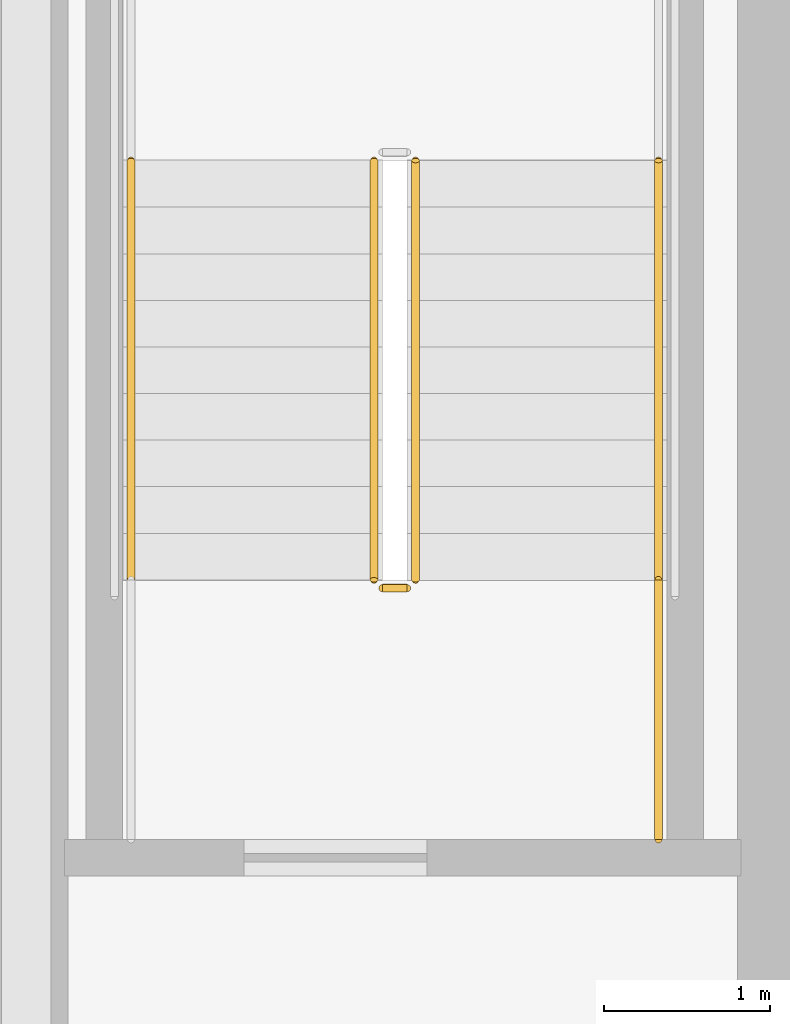
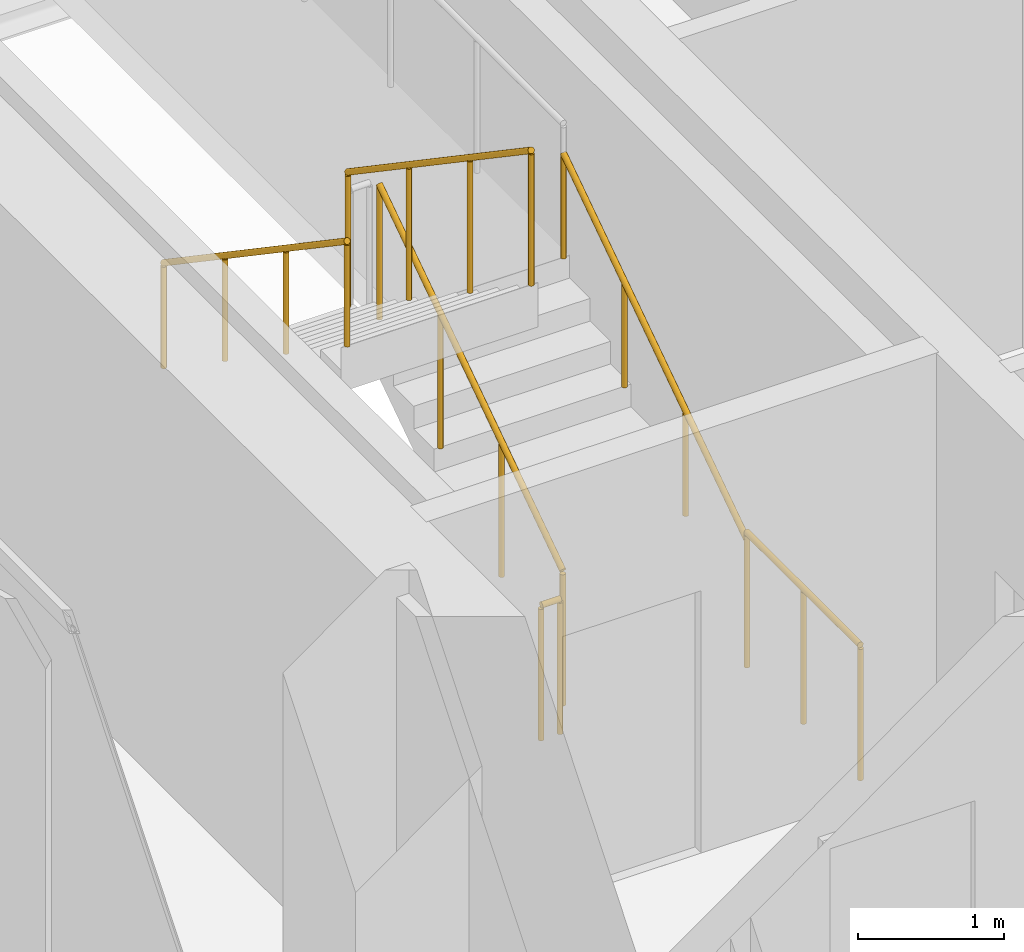
# One storey, part 14 of 17: 6 railings.
"""IFC4 building model written with IfcOpenShell, lengths in metres."""

import ifcopenshell
import ifcopenshell.guid

model = None  # the IFC model being written
_history = None  # IfcOwnerHistory: only IFC2X3 demands one
_inside = {}  # id of a spatial element -> (the spatial element, [elements in it])
_under = {}  # id of a project, library or spatial element -> (it, [spatial elements below it])
_declared = {}  # id of a project -> (the project, [libraries it declares])
_typed = {}  # id of a type object -> (the type object, [elements of that type])
_made_of = {}  # id of a material, layer set ... -> (it, [elements and type objects made of it])


def new_model(schema):
    """Start an empty IFC model of exactly this schema.

    Asked for "IFC4X3", IfcOpenShell would pick the latest addendum, in which some entities
    have other attributes; the version numbers below select the first issue.
    IFC2X3 requires an IfcOwnerHistory on every rooted entity: one is made here for all.
    """
    global model, _history
    if schema == "IFC4X3":
        model = ifcopenshell.file(schema_version=(4, 3, 0, 0))
    else:
        model = ifcopenshell.file(schema=schema)
    _inside.clear()
    _under.clear()
    _declared.clear()
    _typed.clear()
    _made_of.clear()
    _history = None
    if model.schema == "IFC2X3":
        org = make("IfcOrganization", Name="unknown")
        user = make(
            "IfcPersonAndOrganization",
            ThePerson=make("IfcPerson", FamilyName="unknown"),
            TheOrganization=org,
        )
        app = make(
            "IfcApplication",
            ApplicationDeveloper=org,
            Version="unknown",
            ApplicationFullName="unknown",
            ApplicationIdentifier="unknown",
        )
        _history = make(
            "IfcOwnerHistory",
            OwningUser=user,
            OwningApplication=app,
            ChangeAction="ADDED",
            CreationDate=0,
        )
    return model


def make(cls, **values):
    """One entity of the class cls with the attributes given. An attribute that is None is left unset."""
    return model.create_entity(
        cls, **{name: value for name, value in values.items() if value is not None}
    )


def rooted(cls, **values):
    """An entity with a GlobalId (a new one), such as an element, a storey or a relation."""
    return make(cls, GlobalId=ifcopenshell.guid.new(), OwnerHistory=_history, **values)


def si_unit(unit_type, name, prefix=None):
    """IfcSIUnit, for example si_unit("LENGTHUNIT", "METRE", prefix="MILLI")."""
    return make("IfcSIUnit", UnitType=unit_type, Prefix=prefix, Name=name)


def assignment(units):
    """IfcUnitAssignment: the units of a project."""
    return None if units is None else make("IfcUnitAssignment", Units=units)


def point(xyz):
    """IfcCartesianPoint."""
    return None if xyz is None else make("IfcCartesianPoint", Coordinates=xyz)


def direction(xyz):
    """IfcDirection."""
    return None if xyz is None else make("IfcDirection", DirectionRatios=xyz)


def frame(location, z_axis=None, x_axis=None):
    """IfcAxis2Placement3D, a coordinate frame: its origin and axes. An axis left out is left unset."""
    return make(
        "IfcAxis2Placement3D",
        Location=point(location),
        Axis=direction(z_axis),
        RefDirection=direction(x_axis),
    )


def frame_2d(location, x_axis=None):
    """IfcAxis2Placement2D, a coordinate frame in the plane: its origin and x axis."""
    return make(
        "IfcAxis2Placement2D", Location=point(location), RefDirection=direction(x_axis)
    )


def origin():
    """The frame at (0, 0, 0) with its axes left unset."""
    return frame((0.0, 0.0, 0.0))


def origin_2d():
    """The frame at (0, 0) in the plane with its x axis left unset."""
    return frame_2d((0.0, 0.0))


def place(relative_to, where):
    """IfcLocalPlacement: puts the frame where relative to a parent placement (None: the world)."""
    return make(
        "IfcLocalPlacement", PlacementRelTo=relative_to, RelativePlacement=where
    )


def context(
    kind, dimensions, precision=None, world=None, true_north=None, identifier=None
):
    """IfcGeometricRepresentationContext, for example the 3D "Model" context."""
    return make(
        "IfcGeometricRepresentationContext",
        ContextIdentifier=identifier,
        ContextType=kind,
        CoordinateSpaceDimension=dimensions,
        Precision=precision,
        WorldCoordinateSystem=world,
        TrueNorth=true_north,
    )


def subcontext(parent, identifier, kind, view, scale=None):
    """IfcGeometricRepresentationSubContext, for example "Body" below "Model"."""
    return make(
        "IfcGeometricRepresentationSubContext",
        ContextIdentifier=identifier,
        ContextType=kind,
        ParentContext=parent,
        TargetScale=scale,
        TargetView=view,
    )


def project(units=None, contexts=None):
    """IfcProject with its units and contexts."""
    return rooted(
        "IfcProject",
        Name="project",
        RepresentationContexts=contexts,
        UnitsInContext=assignment(units),
    )


def spatial(cls, under=None, at=None, **own):
    """A site, building, storey or space (cls), placed at a placement, below another one or the project."""
    s = rooted(cls, ObjectPlacement=at, **own)
    if under is not None:
        _under.setdefault(under.id(), (under, []))[1].append(s)
    return s


def profile(cls, at=None, kind="AREA", **sizes):
    """A parametric profile (cls). Its sizes go by their IFC names, for example OverallWidth=200.0."""
    return make(cls, ProfileType=kind, Position=at, **sizes)


def circle(**sizes):
    """IfcCircleProfileDef."""
    return profile("IfcCircleProfileDef", **sizes)


def extrude(swept, where, along, depth):
    """IfcExtrudedAreaSolid: the profile swept, set in the frame where, extruded along a direction by depth."""
    return make(
        "IfcExtrudedAreaSolid",
        SweptArea=swept,
        Position=where,
        ExtrudedDirection=direction(along),
        Depth=depth,
    )


def shape(context_of_items, identifier, shape_type, items):
    """IfcShapeRepresentation: the items that make up one representation, for example the "Body"."""
    return make(
        "IfcShapeRepresentation",
        ContextOfItems=context_of_items,
        RepresentationIdentifier=identifier,
        RepresentationType=shape_type,
        Items=items,
    )


def material(Name=None, Category=None):
    """IfcMaterial."""
    return make("IfcMaterial", Name=Name, Category=Category)


def made_of(thing, what):
    """Note that an element or type object is made of a material, layer set ...; save() writes the relation."""
    if what is not None:
        _made_of.setdefault(what.id(), (what, []))[1].append(thing)
    return thing


def type_object(cls, material=None, **own):
    """A type object (cls), such as IfcWallType, which elements share."""
    return made_of(rooted(cls, **own), material)


def element(
    cls,
    number,
    at=None,
    inside=None,
    cuts=None,
    type_object=None,
    material=None,
    context=None,
    identifier="Body",
    shape_type=None,
    held_by="IfcProductDefinitionShape",
    body=None,
    shapes=None,
    **own,
):
    """One element of the class cls, such as IfcWall. Its Tag is "e" and its number.

    at: its placement. inside: the storey or other place that contains it. cuts: it is an
    opening in that element (IfcRelVoidsElement). A single representation is given by context,
    identifier, shape_type and body (its items); several are given by shapes. held_by: the class
    of the entity that holds the representations. save() writes the other relations.
    """
    e = rooted(cls, Tag="e%d" % number, ObjectPlacement=at, **own)
    if body is not None:
        shapes = [shape(context, identifier, shape_type, body)]
    if shapes is not None:
        e.Representation = make(held_by, Representations=shapes)
    if inside is not None:
        _inside.setdefault(inside.id(), (inside, []))[1].append(e)
    if cuts is not None:
        rooted(
            "IfcRelVoidsElement", RelatingBuildingElement=cuts, RelatedOpeningElement=e
        )
    if type_object is not None:
        _typed.setdefault(type_object.id(), (type_object, []))[1].append(e)
    return made_of(e, material)


def aggregate(whole, parts):
    """IfcRelAggregates: a whole, such as a stair, and the parts it consists of."""
    return rooted("IfcRelAggregates", RelatingObject=whole, RelatedObjects=parts)


def save(model, path):
    """Write the relations noted so far, then the file.

    IfcRelAggregates (storeys below a building ...), IfcRelContainedInSpatialStructure (elements
    in a storey), IfcRelDefinesByType, IfcRelAssociatesMaterial and IfcRelDeclares: one each for
    every whole, place, type object, material and project.
    """
    for whole, parts in _under.values():
        aggregate(whole, parts)
    for where, things in _inside.values():
        rooted(
            "IfcRelContainedInSpatialStructure",
            RelatedElements=things,
            RelatingStructure=where,
        )
    for kind, things in _typed.values():
        rooted("IfcRelDefinesByType", RelatedObjects=things, RelatingType=kind)
    for what, things in _made_of.values():
        rooted("IfcRelAssociatesMaterial", RelatedObjects=things, RelatingMaterial=what)
    for by, libraries in _declared.values():
        rooted("IfcRelDeclares", RelatingContext=by, RelatedDefinitions=libraries)
    model.write(path)


model = new_model("IFC4")

# Units and contexts
model_context = context("Model", 3, precision=1e-05, world=origin(), true_north=direction((0.0, 1.0)))
body_context = subcontext(model_context, "Body", "Model", "MODEL_VIEW")
ifc_project = project(units=[si_unit("LENGTHUNIT", "METRE"), si_unit("AREAUNIT", "SQUARE_METRE"), si_unit("VOLUMEUNIT", "CUBIC_METRE"), si_unit("PLANEANGLEUNIT", "RADIAN"), si_unit("MASSUNIT", "GRAM", prefix="KILO")], contexts=[model_context])

# Site, building, storey
site_placement = place(None, origin())
site = spatial("IfcSite", under=ifc_project, at=site_placement, CompositionType="ELEMENT")
building_placement = place(site_placement, origin())
building = spatial("IfcBuilding", under=site, at=building_placement, Name="Khairoan Windgate Tower", CompositionType="ELEMENT")
storey_placement = place(building_placement, frame((0.0, 0.0, 176.39990234375)))
storey = spatial("IfcBuildingStorey", under=building, at=storey_placement, Name="L40", CompositionType="ELEMENT", Elevation=176.39990234375)

# Railings
ifc_material_1 = material(Name="Anodised Bronze Aluminium 6063-T6", Category="aluminium")
railing_type_1 = type_object("IfcRailingType", Name="Stair Wall Handrail SHR-900", PredefinedType="HANDRAIL", material=ifc_material_1)
railing_1_placement = place(storey_placement, frame((-16.199951171875, 2.9599609375, 0.190185546875)))
element("IfcRailing", 1, at=railing_1_placement, inside=storey, type_object=railing_type_1, Name="L40 ST2 stair handrail 1", PredefinedType="HANDRAIL", context=body_context, shape_type="SweptSolid", body=[
    extrude(circle(Radius=0.02392578125, at=origin_2d()), frame((0.0, 0.0, 0.8759765625), z_axis=(0.0, 0.827483756001, 0.561489655786), x_axis=(-1.0, 0.0, 0.0)), (0.0, 0.0, 1.0), 3.04541015625),
    extrude(circle(Radius=0.02099609375, at=origin_2d()), origin(), (0.0, 0.0, 1.0), 0.851806640625),
    extrude(circle(Radius=0.02099609375, at=origin_2d()), frame((0.0, 0.840087890625, 0.570068359375)), (0.0, 0.0, 1.0), 0.851806640625),
    extrude(circle(Radius=0.02099609375, at=origin_2d()), frame((0.0, 1.679931640625, 1.139892578125)), (0.0, 0.0, 1.0), 0.851806640625),
    extrude(circle(Radius=0.02099609375, at=origin_2d()), frame((0.0, 2.52001953125, 1.7099609375)), (0.0, 0.0, 1.0), 0.851806640625),
])
railing_2_placement = place(storey_placement, frame((-19.3701171875, 5.47998046875, 2.090087890625)))
element("IfcRailing", 2, at=railing_2_placement, inside=storey, type_object=railing_type_1, Name="L40 ST2 stair handrail 2", PredefinedType="HANDRAIL", context=body_context, shape_type="SweptSolid", body=[
    extrude(circle(Radius=0.02392578125, at=origin_2d()), frame((0.0, 0.0, 0.8759765625), z_axis=(0.0, -0.827483756001, 0.561489655786), x_axis=(1.0, 0.0, 0.0)), (0.0, 0.0, 1.0), 3.04541015625),
    extrude(circle(Radius=0.02099609375, at=origin_2d()), origin(), (0.0, 0.0, 1.0), 0.851806640625),
    extrude(circle(Radius=0.02099609375, at=origin_2d()), frame((0.0, -0.840087890625, 0.570068359375)), (0.0, 0.0, 1.0), 0.851806640625),
    extrude(circle(Radius=0.02099609375, at=origin_2d()), frame((0.0, -1.679931640625, 1.139892578125)), (0.0, 0.0, 1.0), 0.851806640625),
    extrude(circle(Radius=0.02099609375, at=origin_2d()), frame((0.0, -2.52001953125, 1.7099609375)), (0.0, 0.0, 1.0), 0.851806640625),
])
ifc_material_2 = material(Name="Steel S355", Category="steel")
railing_type_2 = type_object("IfcRailingType", Name="Stairwell Safety Guardrail SGR-1150", PredefinedType="GUARDRAIL", material=ifc_material_2)
railing_3_placement = place(storey_placement, frame((-17.659912109375, 2.9599609375, 0.190185546875)))
element("IfcRailing", 3, at=railing_3_placement, inside=storey, type_object=railing_type_2, Name="L40 ST2 stair guard 1", PredefinedType="GUARDRAIL", context=body_context, shape_type="SweptSolid", body=[
    extrude(circle(Radius=0.02392578125, at=origin_2d()), frame((0.0, 0.0, 1.1259765625), z_axis=(0.0, 0.827483756001, 0.561489655786), x_axis=(-1.0, 0.0, 0.0)), (0.0, 0.0, 1.0), 3.04541015625),
    extrude(circle(Radius=0.02099609375, at=origin_2d()), origin(), (0.0, 0.0, 1.0), 1.101806640625),
    extrude(circle(Radius=0.02099609375, at=origin_2d()), frame((0.0, 0.840087890625, 0.570068359375)), (0.0, 0.0, 1.0), 1.101806640625),
    extrude(circle(Radius=0.02099609375, at=origin_2d()), frame((0.0, 1.679931640625, 1.139892578125)), (0.0, 0.0, 1.0), 1.101806640625),
    extrude(circle(Radius=0.02099609375, at=origin_2d()), frame((0.0, 2.52001953125, 1.7099609375)), (0.0, 0.0, 1.0), 1.101806640625),
])
railing_4_placement = place(storey_placement, frame((-17.909912109375, 5.47998046875, 2.090087890625)))
element("IfcRailing", 4, at=railing_4_placement, inside=storey, type_object=railing_type_2, Name="L40 ST2 stair guard 6", PredefinedType="GUARDRAIL", context=body_context, shape_type="SweptSolid", body=[
    extrude(circle(Radius=0.02392578125, at=origin_2d()), frame((0.0, 0.0, 1.1259765625), z_axis=(0.0, -0.827483756001, 0.561489655786), x_axis=(1.0, 0.0, 0.0)), (0.0, 0.0, 1.0), 3.04541015625),
    extrude(circle(Radius=0.02099609375, at=origin_2d()), origin(), (0.0, 0.0, 1.0), 1.101806640625),
    extrude(circle(Radius=0.02099609375, at=origin_2d()), frame((0.0, -0.840087890625, 0.570068359375)), (0.0, 0.0, 1.0), 1.101806640625),
    extrude(circle(Radius=0.02099609375, at=origin_2d()), frame((0.0, -1.679931640625, 1.139892578125)), (0.0, 0.0, 1.0), 1.101806640625),
    extrude(circle(Radius=0.02099609375, at=origin_2d()), frame((0.0, -2.52001953125, 1.7099609375)), (0.0, 0.0, 1.0), 1.101806640625),
])
railing_5_placement = place(storey_placement, frame((-17.7099609375, 2.909912109375, 0.0)))
element("IfcRailing", 5, at=railing_5_placement, inside=storey, type_object=railing_type_2, Name="L40 ST2 stair guard 7", PredefinedType="GUARDRAIL", context=body_context, shape_type="SweptSolid", body=[
    extrude(circle(Radius=0.02392578125, at=origin_2d()), frame((0.0, 0.0, 1.1259765625), z_axis=(-1.0, 0.0, 0.0), x_axis=(0.0, -1.0, 0.0)), (0.0, 0.0, 1.0), 0.150146484375),
    extrude(circle(Radius=0.02099609375, at=origin_2d()), origin(), (0.0, 0.0, 1.0), 1.101806640625),
    extrude(circle(Radius=0.02099609375, at=origin_2d()), frame((-0.150146484375, 0.0, 0.0)), (0.0, 0.0, 1.0), 1.101806640625),
])
railing_6_placement = place(storey_placement, frame((-16.199951171875, 1.39990234375, 0.0)))
element("IfcRailing", 6, at=railing_6_placement, inside=storey, type_object=railing_type_2, Name="L40 ST2 stair guard 8", PredefinedType="GUARDRAIL", context=body_context, shape_type="SweptSolid", body=[
    extrude(circle(Radius=0.02392578125, at=origin_2d()), frame((0.0, 0.0, 1.1259765625), z_axis=(0.0, 1.0, 0.0), x_axis=(-1.0, 0.0, 0.0)), (0.0, 0.0, 1.0), 1.56005859375),
    extrude(circle(Radius=0.02099609375, at=origin_2d()), origin(), (0.0, 0.0, 1.0), 1.101806640625),
    extrude(circle(Radius=0.02099609375, at=origin_2d()), frame((0.0, 0.780029296875, 0.0)), (0.0, 0.0, 1.0), 1.101806640625),
    extrude(circle(Radius=0.02099609375, at=origin_2d()), frame((0.0, 1.56005859375, 0.0)), (0.0, 0.0, 1.0), 1.101806640625),
])

save(model, "model.ifc")
